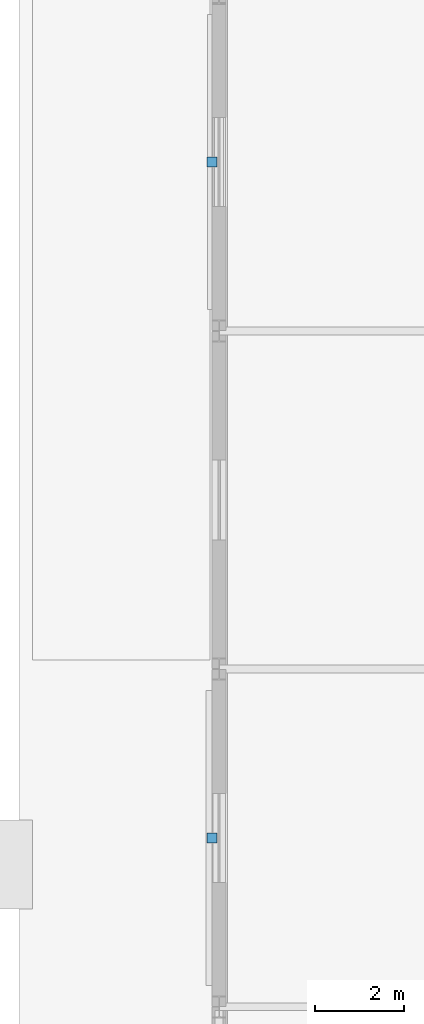
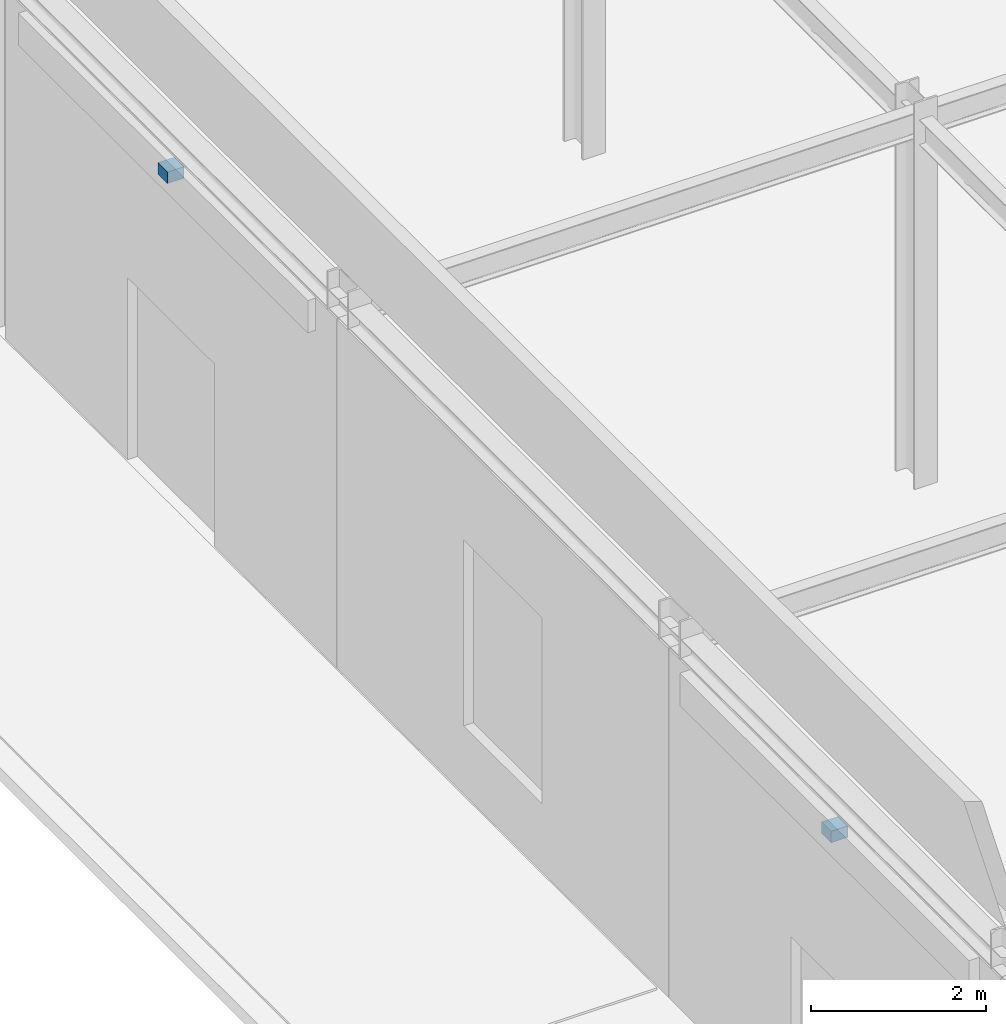
# One storey, part 76 of 89: 2 discrete accessories.
"""IFC4 building model written with IfcOpenShell, lengths in metres."""

from ifc_helpers import new_model, si_unit, direction, frame, origin, origin_2d, place, context, subcontext, project, spatial, rectangle, extrude, material, type_object, element, save


model = new_model("IFC4")

# Units and contexts
model_context = context("Model", 3, precision=1e-05, world=origin(), true_north=direction((0.0, 1.0)))
body_context = subcontext(model_context, "Body", "Model", "MODEL_VIEW")
ifc_project = project(units=[si_unit("LENGTHUNIT", "METRE"), si_unit("AREAUNIT", "SQUARE_METRE"), si_unit("VOLUMEUNIT", "CUBIC_METRE"), si_unit("PLANEANGLEUNIT", "RADIAN"), si_unit("MASSUNIT", "GRAM", prefix="KILO")], contexts=[model_context])

# Site, building, storey
site_placement = place(None, origin())
site = spatial("IfcSite", under=ifc_project, at=site_placement, CompositionType="ELEMENT")
building_placement = place(site_placement, origin())
building = spatial("IfcBuilding", under=site, at=building_placement, Name="Shalkamar Park Central Library", CompositionType="ELEMENT")
storey_placement = place(building_placement, origin())
storey = spatial("IfcBuildingStorey", under=building, at=storey_placement, Name="L01", CompositionType="ELEMENT", Elevation=0.0)

# Discrete accessories
ifc_material = material(Name="Steel S355", Category="steel")
discrete_accessory_type = type_object("IfcDiscreteAccessoryType", Name="Stainless Facade Bracket", PredefinedType="BRACKET", material=ifc_material)
for number, where, z_axis, x_axis, name in (
    (1, (119.840087890625, 266.60009765625, 4.5732421875), (0.0, 0.0, 1.0), (1.0, 0.0, 0.0), "Frieze Fixing Bracket L01-018"),
    (2, (119.840087890625, 281.800048828125, 4.5732421875), (0.0, 0.0, 1.0), (1.0, 0.0, 0.0), "Frieze Fixing Bracket L01-019"),
):
    element("IfcDiscreteAccessory", number, at=place(storey_placement, frame(where, z_axis=z_axis, x_axis=x_axis)), inside=storey, type_object=discrete_accessory_type, Name=name, PredefinedType="BRACKET", context=body_context, shape_type="SweptSolid", body=[
        extrude(rectangle(XDim=0.219970703125, YDim=0.219970703125, at=origin_2d()), origin(), (0.0, 0.0, 1.0), 0.159912109375),
    ])

save(model, "model.ifc")
